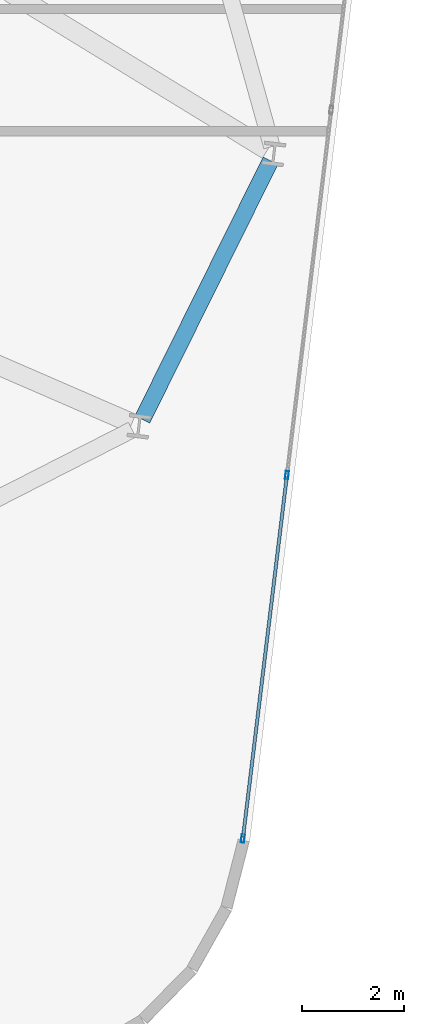
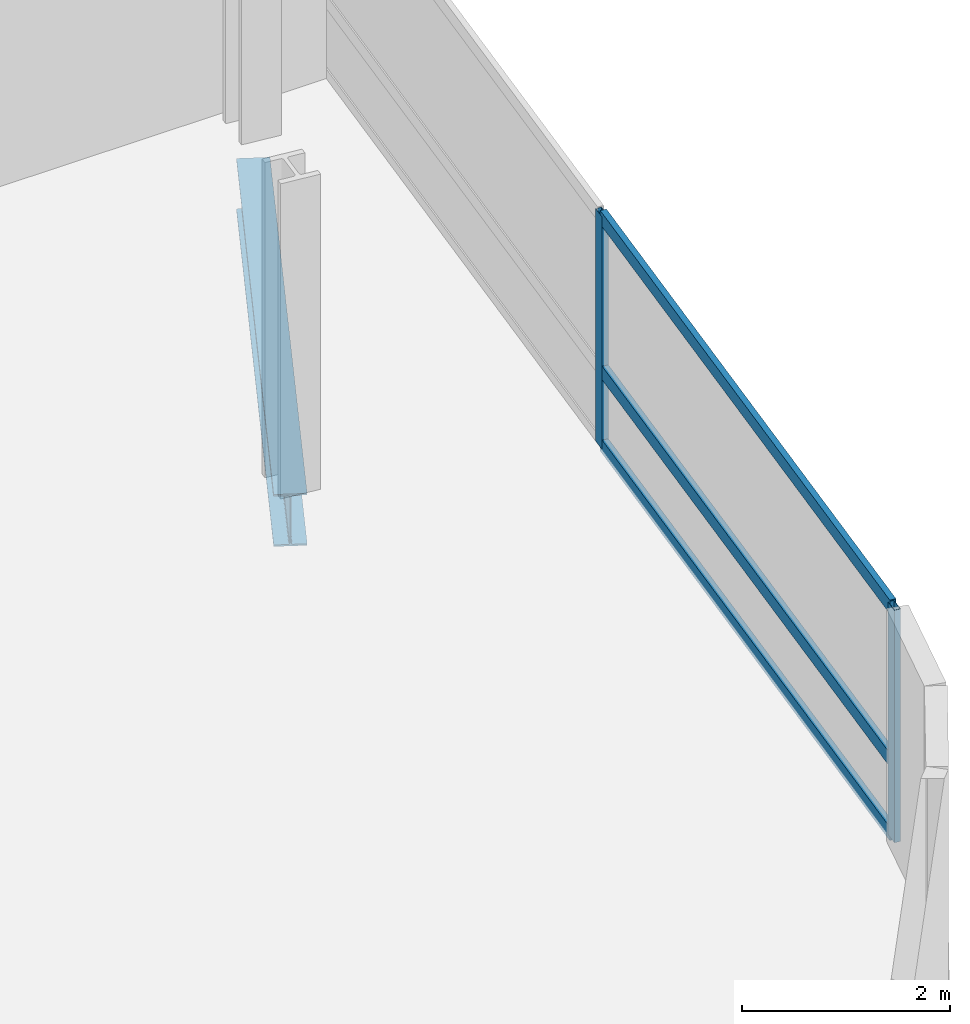
# One storey, part 14 of 26: 5 members, 1 beam, 1 element without a shape of its own.
"""IFC4 building model written with IfcOpenShell, lengths in metres."""

from ifc_helpers import new_model, si_unit, direction, frame, origin, origin_2d, place, context, subcontext, project, spatial, hollow_rectangle, i_section, extrude, material, layer, layer_set, material_profile, profile_set, type_object, element, aggregate, save


model = new_model("IFC4")

# Units and contexts
model_context = context("Model", 3, precision=1e-05, world=origin(), true_north=direction((0.0, 1.0)))
body_context = subcontext(model_context, "Body", "Model", "MODEL_VIEW")
ifc_project = project(units=[si_unit("LENGTHUNIT", "METRE"), si_unit("AREAUNIT", "SQUARE_METRE"), si_unit("VOLUMEUNIT", "CUBIC_METRE"), si_unit("PLANEANGLEUNIT", "RADIAN"), si_unit("MASSUNIT", "GRAM", prefix="KILO")], contexts=[model_context])

# Site, building, storey
site_placement = place(None, origin())
site = spatial("IfcSite", under=ifc_project, at=site_placement, CompositionType="ELEMENT")
building_placement = place(site_placement, origin())
building = spatial("IfcBuilding", under=site, at=building_placement, Name="Varnelok Gate Tower", CompositionType="ELEMENT")
storey_placement = place(building_placement, frame((0.0, 0.0, 147.60009765625)))
storey = spatial("IfcBuildingStorey", under=building, at=storey_placement, Name="L37", CompositionType="ELEMENT", Elevation=147.60009765625)

# Beam
ifc_material_1 = material(Name="Structural Steel ASTM A992 Grade 50", Category="steel")
ifc_material_profile_1 = material_profile(ifc_material_1, i_section(OverallWidth=0.323974609375, OverallDepth=0.611083984375, WebThickness=0.0126953125, FlangeThickness=0.01904296875, FilletRadius=0.01806640625, at=origin_2d()), Name="W24X104")
ifc_profile_set_1 = profile_set([ifc_material_profile_1], Name="Structural Steel ASTM A992 Grade 50")
beam_type = type_object("IfcBeamType", Name="BM-SPN-W24X104", PredefinedType="SPANDREL", material=ifc_profile_set_1)
beam_placement = place(storey_placement, frame((71.859619140625, 11.20849609375, -0.5556640625), z_axis=(0.44413424616, 0.895960251009, 0.0), x_axis=(-0.895960251009, 0.44413424616, 0.0)))
element("IfcBeam", 1, at=beam_placement, inside=storey, type_object=beam_type, Name="L37 Perimeter Spandrel Beam 6", PredefinedType="SPANDREL", context=body_context, shape_type="SweptSolid", body=[
    extrude(i_section(OverallWidth=0.323974609375, OverallDepth=0.611083984375, WebThickness=0.0126953125, FlangeThickness=0.01904296875, FilletRadius=0.01806640625, at=origin_2d()), origin(), (0.0, 0.0, 1.0), 5.64990234375),
])

# Curtain wall, members
ifc_material_2 = material(Name="Anodized Aluminum Alloy 6063-T6", Category="aluminium")
ifc_layer = layer(ifc_material_2, 0.179931640625)
ifc_layer_set = layer_set([ifc_layer], Name="Anodized Aluminum Alloy 6063-T6")
curtain_wall_type = type_object("IfcCurtainWallType", Name="CW3-HOTEL-VISION", PredefinedType="USERDEFINED", material=ifc_layer_set)
curtain_wall_placement = place(storey_placement, origin())
curtain_wall = element("IfcCurtainWall", 2, at=curtain_wall_placement, inside=storey, type_object=curtain_wall_type, Name="L37 East End Vision Curtain Wall", ObjectType="UNITISED CURTAIN WALL", PredefinedType="USERDEFINED")
ifc_material_profile_2 = material_profile(ifc_material_2, hollow_rectangle(XDim=0.06494140625, YDim=0.159912109375, WallThickness=0.00390625, at=origin_2d()), Name="ALU160X65X4")
ifc_profile_set_2 = profile_set([ifc_material_profile_2], Name="Anodized Aluminum Alloy 6063-T6")
member_type_1 = type_object("IfcMemberType", Name="CW-MULL-160", PredefinedType="MULLION", material=ifc_profile_set_2)
member_1_placement = place(storey_placement, frame((74.69091796875, 10.118408203125, 0.0), z_axis=(0.0, 0.0, 1.0), x_axis=(0.99273188146, -0.120347046212, 0.0)))
member_1 = element("IfcMember", 3, at=member_1_placement, type_object=member_type_1, Name="CW3 mullion 5", PredefinedType="MULLION", context=body_context, shape_type="SweptSolid", body=[
    extrude(hollow_rectangle(XDim=0.06494140625, YDim=0.159912109375, WallThickness=0.00390625, at=origin_2d()), origin(), (0.0, 0.0, 1.0), 2.72998046875),
])
member_2_placement = place(storey_placement, frame((73.828369140625, 3.003173828125, 0.0), z_axis=(0.0, 0.0, 1.0), x_axis=(0.99273188146, -0.120347046212, 0.0)))
member_2 = element("IfcMember", 4, at=member_2_placement, type_object=member_type_1, Name="CW3 mullion 6", PredefinedType="MULLION", context=body_context, shape_type="SweptSolid", body=[
    extrude(hollow_rectangle(XDim=0.06494140625, YDim=0.159912109375, WallThickness=0.00390625, at=origin_2d()), origin(), (0.0, 0.0, 1.0), 2.72998046875),
])
ifc_material_profile_3 = material_profile(ifc_material_2, hollow_rectangle(XDim=0.06494140625, YDim=0.159912109375, WallThickness=0.00390625, at=origin_2d()), Name="ALU160X65X4")
ifc_profile_set_3 = profile_set([ifc_material_profile_3], Name="Anodized Aluminum Alloy 6063-T6")
member_type_2 = type_object("IfcMemberType", Name="CW-TRAN-160", PredefinedType="USERDEFINED", material=ifc_profile_set_3)
member_3_placement = place(storey_placement, frame((74.68701171875, 10.086181640625, 0.032470703125), z_axis=(-0.120344712857, -0.992732164326, 0.0), x_axis=(0.992732164326, -0.120344712857, 0.0)))
member_3 = element("IfcMember", 5, at=member_3_placement, type_object=member_type_2, Name="CW3 transom 5.1", ObjectType="TRANSOM", PredefinedType="USERDEFINED", context=body_context, shape_type="SweptSolid", body=[
    extrude(hollow_rectangle(XDim=0.06494140625, YDim=0.159912109375, WallThickness=0.00390625, at=origin_2d()), origin(), (0.0, 0.0, 1.0), 7.102294921875),
])
member_4_placement = place(storey_placement, frame((74.68701171875, 10.086181640625, 0.89990234375), z_axis=(-0.120344712857, -0.992732164326, 0.0), x_axis=(0.992732164326, -0.120344712857, 0.0)))
member_4 = element("IfcMember", 6, at=member_4_placement, type_object=member_type_2, Name="CW3 transom 5.2", ObjectType="TRANSOM", PredefinedType="USERDEFINED", context=body_context, shape_type="SweptSolid", body=[
    extrude(hollow_rectangle(XDim=0.06494140625, YDim=0.159912109375, WallThickness=0.00390625, at=origin_2d()), origin(), (0.0, 0.0, 1.0), 7.102294921875),
])
member_5_placement = place(storey_placement, frame((74.68701171875, 10.086181640625, 2.697509765625), z_axis=(-0.120344712857, -0.992732164326, 0.0), x_axis=(0.992732164326, -0.120344712857, 0.0)))
member_5 = element("IfcMember", 7, at=member_5_placement, type_object=member_type_2, Name="CW3 transom 5.3", ObjectType="TRANSOM", PredefinedType="USERDEFINED", context=body_context, shape_type="SweptSolid", body=[
    extrude(hollow_rectangle(XDim=0.06494140625, YDim=0.159912109375, WallThickness=0.00390625, at=origin_2d()), origin(), (0.0, 0.0, 1.0), 7.102294921875),
])
aggregate(curtain_wall, [member_1, member_2, member_3, member_4, member_5])

save(model, "model.ifc")
